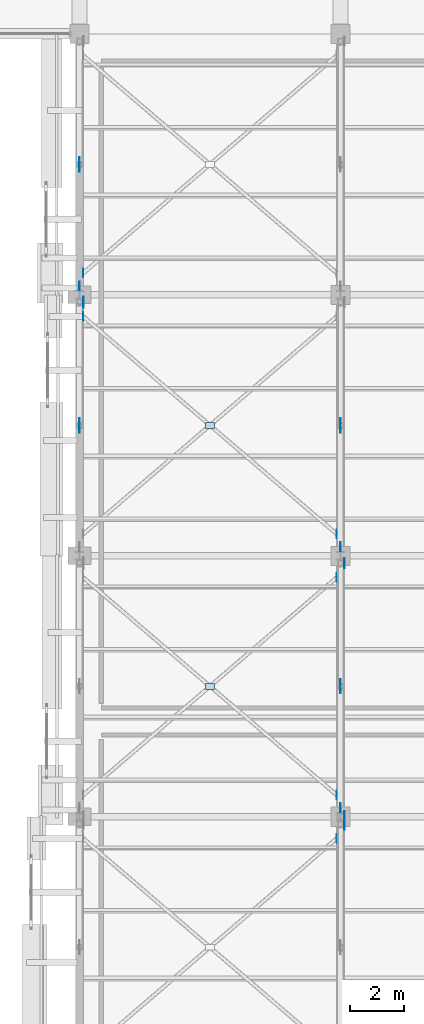
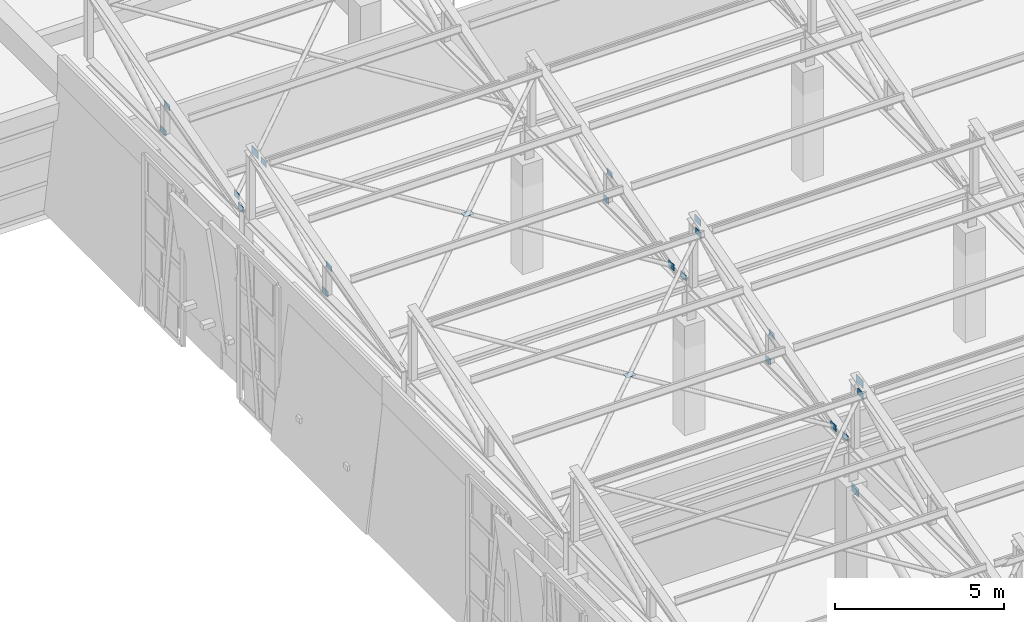
# One storey, part 41 of 71: 23 plates.
"""IFC4 building model written with IfcOpenShell, lengths in metres."""

from ifc_helpers import new_model, si_unit, direction, frame, origin, origin_2d, place, context, subcontext, project, spatial, rectangle, extrude, material, layer, layer_set, type_object, element, save


model = new_model("IFC4")

# Units and contexts
model_context = context("Model", 3, precision=1e-05, world=origin(), true_north=direction((0.0, 1.0)))
body_context = subcontext(model_context, "Body", "Model", "MODEL_VIEW")
ifc_project = project(units=[si_unit("LENGTHUNIT", "METRE"), si_unit("AREAUNIT", "SQUARE_METRE"), si_unit("VOLUMEUNIT", "CUBIC_METRE"), si_unit("PLANEANGLEUNIT", "RADIAN"), si_unit("MASSUNIT", "GRAM", prefix="KILO")], contexts=[model_context])

# Site, building, storey
site_placement = place(None, origin())
site = spatial("IfcSite", under=ifc_project, at=site_placement, CompositionType="ELEMENT")
building_placement = place(site_placement, origin())
building = spatial("IfcBuilding", under=site, at=building_placement, Name="Bempovik Park Faculty of Sciences", CompositionType="ELEMENT")
storey_placement = place(building_placement, frame((0.0, 0.0, 14.10009765625)))
storey = spatial("IfcBuildingStorey", under=building, at=storey_placement, Name="L03", CompositionType="ELEMENT", Elevation=14.10009765625)

# Plates
ifc_material = material(Name="Steel S355", Category="steel")
ifc_layer_1 = layer(ifc_material, 0.01611328125)
ifc_layer_set_1 = layer_set([ifc_layer_1], Name="Steel S355")
plate_type_1 = type_object("IfcPlateType", Name="PL-18 Steel Plate 400x280x16", PredefinedType="SHEET", material=ifc_layer_set_1)
for number, where, z_axis, x_axis, name in (
    (1, (69.74609375, 38.72998046875, 7.46435546875), (0.0, 0.0, 1.0), (1.0, 0.0, 0.0), "Sawtooth Ridge Gusset Plate V1-B2-69.6"),
    (2, (60.14599609375, 57.929931640625, 7.46435546875), (0.0, 0.0, 1.0), (1.0, 0.0, 0.0), "Sawtooth Ridge Gusset Plate V1-B4-60.0"),
):
    element("IfcPlate", number, at=place(storey_placement, frame(where, z_axis=z_axis, x_axis=x_axis)), inside=storey, type_object=plate_type_1, Name=name, PredefinedType="SHEET", context=body_context, shape_type="SweptSolid", body=[
        extrude(rectangle(XDim=0.01611328125, YDim=0.39990234375, at=origin_2d()), origin(), (0.0, 0.0, 1.0), 0.280029296875),
    ])
ifc_layer_2 = layer(ifc_material, 0.01806640625)
ifc_layer_set_2 = layer_set([ifc_layer_2], Name="Steel S355")
plate_type_2 = type_object("IfcPlateType", Name="PL-22 Steel Plate 420x300x18", PredefinedType="SHEET", material=ifc_layer_set_2)
plate_1_placement = place(storey_placement, frame((69.739990234375, 39.0, 3.3701171875), z_axis=(0.0, 0.0, 1.0), x_axis=(1.0, 0.0, 0.0)))
element("IfcPlate", 3, at=plate_1_placement, inside=storey, type_object=plate_type_2, Name="Cantilever Gusset Plate CT2-5-T", PredefinedType="SHEET", context=body_context, shape_type="SweptSolid", body=[
    extrude(rectangle(XDim=0.01806640625, YDim=0.419921875, at=origin_2d()), origin(), (0.0, 0.0, 1.0), 0.300048828125),
])
ifc_layer_3 = layer(ifc_material, 0.011962890625)
ifc_layer_set_3 = layer_set([ifc_layer_3], Name="Steel S355")
plate_type_3 = type_object("IfcPlateType", Name="PL-26 Steel Plate 320x220x12", PredefinedType="SHEET", material=ifc_layer_set_3)
plate_2_placement = place(storey_placement, frame((69.464111328125, 38.199951171875, 7.46044921875), z_axis=(0.0, 0.0, 1.0), x_axis=(1.0, 0.0, 0.0)))
element("IfcPlate", 4, at=plate_2_placement, inside=storey, type_object=plate_type_3, Name="Sawtooth X-Brace End Gusset V1-B2-60.0-2", PredefinedType="SHEET", context=body_context, shape_type="SweptSolid", body=[
    extrude(rectangle(XDim=0.011962890625, YDim=0.320068359375, at=origin_2d()), origin(), (0.0, 0.0, 1.0), 0.219970703125),
])
plate_3_placement = place(storey_placement, frame((64.800048828125, 43.800048828125, 6.4921875), z_axis=(0.0, 0.0, 1.0), x_axis=(1.0, 0.0, 0.0)))
element("IfcPlate", 5, at=plate_3_placement, inside=storey, type_object=plate_type_3, Name="Sawtooth X-Brace Crossing Node Gusset V1-B3-60.0", PredefinedType="SHEET", context=body_context, shape_type="SweptSolid", body=[
    extrude(rectangle(XDim=0.320068359375, YDim=0.219970703125, at=origin_2d()), origin(), (0.0, 0.0, 1.0), 0.011962890625),
])
for number, where, z_axis, x_axis, name in (
    (6, (69.464111328125, 47.800048828125, 7.46044921875), (0.0, 0.0, 1.0), (1.0, 0.0, 0.0), "Sawtooth X-Brace End Gusset V1-B3-60.0-2"),
    (7, (69.464111328125, 39.800048828125, 5.31640625), (0.0, 0.0, 1.0), (1.0, 0.0, 0.0), "Sawtooth X-Brace End Gusset V1-B3-60.0-4"),
):
    element("IfcPlate", number, at=place(storey_placement, frame(where, z_axis=z_axis, x_axis=x_axis)), inside=storey, type_object=plate_type_3, Name=name, PredefinedType="SHEET", context=body_context, shape_type="SweptSolid", body=[
        extrude(rectangle(XDim=0.011962890625, YDim=0.320068359375, at=origin_2d()), origin(), (0.0, 0.0, 1.0), 0.219970703125),
    ])
plate_4_placement = place(storey_placement, frame((64.800048828125, 53.39990234375, 6.4921875), z_axis=(0.0, 0.0, 1.0), x_axis=(1.0, 0.0, 0.0)))
element("IfcPlate", 8, at=plate_4_placement, inside=storey, type_object=plate_type_3, Name="Sawtooth X-Brace Crossing Node Gusset V1-B4-60.0", PredefinedType="SHEET", context=body_context, shape_type="SweptSolid", body=[
    extrude(rectangle(XDim=0.320068359375, YDim=0.219970703125, at=origin_2d()), origin(), (0.0, 0.0, 1.0), 0.011962890625),
])
for number, where, z_axis, x_axis, name in (
    (9, (60.135986328125, 57.39990234375, 7.46044921875), (0.0, 0.0, 1.0), (1.0, 0.0, 0.0), "Sawtooth X-Brace End Gusset V1-B4-60.0-3"),
    (10, (69.464111328125, 49.39990234375, 5.31640625), (0.0, 0.0, 1.0), (1.0, 0.0, 0.0), "Sawtooth X-Brace End Gusset V1-B4-60.0-4"),
    (11, (60.135986328125, 59.0, 5.31640625), (0.0, 0.0, 1.0), (1.0, 0.0, 0.0), "Sawtooth X-Brace End Gusset V1-B5-60.0-1"),
    (12, (69.60009765625, 39.330078125, 5.17578125), (0.0, 0.0, 1.0), (1.0, 0.0, 0.0), "Brace/Strut End Gusset Plate SAW-V1-B3-D1-696-E1"),
    (13, (69.60009765625, 43.695068359375, 6.228515625), (0.0, 0.0, 1.0), (1.0, 0.0, 0.0), "Brace/Strut End Gusset Plate SAW-V1-B3-D1-696-E2"),
    (14, (69.60009765625, 43.905029296875, 5.17578125), (0.0, 0.0, 1.0), (1.0, 0.0, 0.0), "Brace/Strut End Gusset Plate SAW-V1-B3-D2-696-E1"),
    (15, (60.0, 53.294921875, 6.228515625), (0.0, 0.0, 1.0), (1.0, 0.0, 0.0), "Brace/Strut End Gusset Plate SAW-V1-B4-D1-600-E2"),
    (16, (60.0, 53.5048828125, 5.17578125), (0.0, 0.0, 1.0), (1.0, 0.0, 0.0), "Brace/Strut End Gusset Plate SAW-V1-B4-D2-600-E1"),
    (17, (69.60009765625, 48.929931640625, 5.17578125), (0.0, 0.0, 1.0), (1.0, 0.0, 0.0), "Brace/Strut End Gusset Plate SAW-V1-B4-D1-696-E1"),
    (18, (69.60009765625, 53.294921875, 6.228515625), (0.0, 0.0, 1.0), (1.0, 0.0, 0.0), "Brace/Strut End Gusset Plate SAW-V1-B4-D1-696-E2"),
    (19, (69.60009765625, 53.5048828125, 5.17578125), (0.0, 0.0, 1.0), (1.0, 0.0, 0.0), "Brace/Strut End Gusset Plate SAW-V1-B4-D2-696-E1"),
    (20, (60.0, 58.530029296875, 5.17578125), (0.0, 0.0, 1.0), (1.0, 0.0, 0.0), "Brace/Strut End Gusset Plate SAW-V1-B5-D1-600-E1"),
    (21, (60.0, 62.89501953125, 6.228515625), (0.0, 0.0, 1.0), (1.0, 0.0, 0.0), "Brace/Strut End Gusset Plate SAW-V1-B5-D1-600-E2"),
    (22, (60.0, 63.10498046875, 5.17578125), (0.0, 0.0, 1.0), (1.0, 0.0, 0.0), "Brace/Strut End Gusset Plate SAW-V1-B5-D2-600-E1"),
):
    element("IfcPlate", number, at=place(storey_placement, frame(where, z_axis=z_axis, x_axis=x_axis)), inside=storey, type_object=plate_type_3, Name=name, PredefinedType="SHEET", context=body_context, shape_type="SweptSolid", body=[
        extrude(rectangle(XDim=0.011962890625, YDim=0.320068359375, at=origin_2d()), origin(), (0.0, 0.0, 1.0), 0.219970703125),
    ])
ifc_layer_4 = layer(ifc_material, 0.013916015625)
ifc_layer_set_4 = layer_set([ifc_layer_4], Name="Steel S355")
plate_type_4 = type_object("IfcPlateType", Name="PL-39 Steel Plate 360x250x14", PredefinedType="SHEET", material=ifc_layer_set_4)
plate_5_placement = place(storey_placement, frame((69.7451171875, 48.330078125, 7.4794921875), z_axis=(0.0, 0.0, 1.0), x_axis=(1.0, 0.0, 0.0)))
element("IfcPlate", 23, at=plate_5_placement, inside=storey, type_object=plate_type_4, Name="Sawtooth Ridge Gusset Plate V1-B3-69.6", PredefinedType="SHEET", context=body_context, shape_type="SweptSolid", body=[
    extrude(rectangle(XDim=0.013916015625, YDim=0.360107421875, at=origin_2d()), origin(), (0.0, 0.0, 1.0), 0.25),
])

save(model, "model.ifc")
